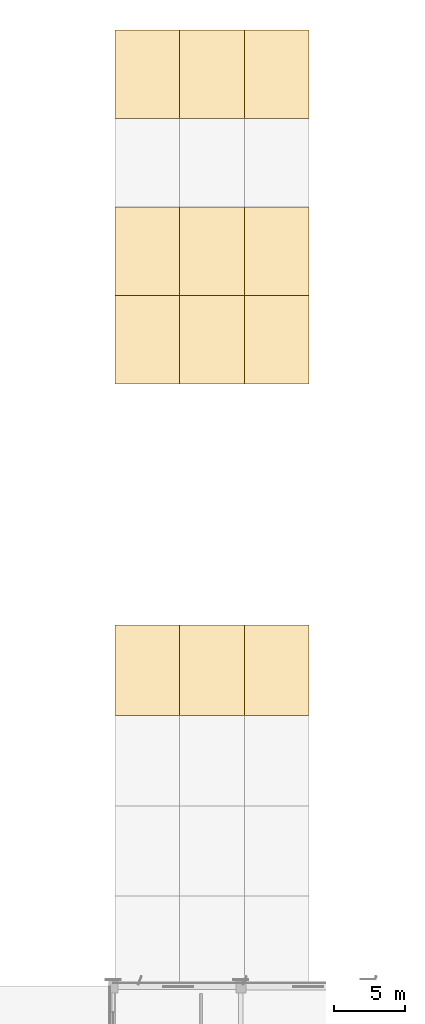
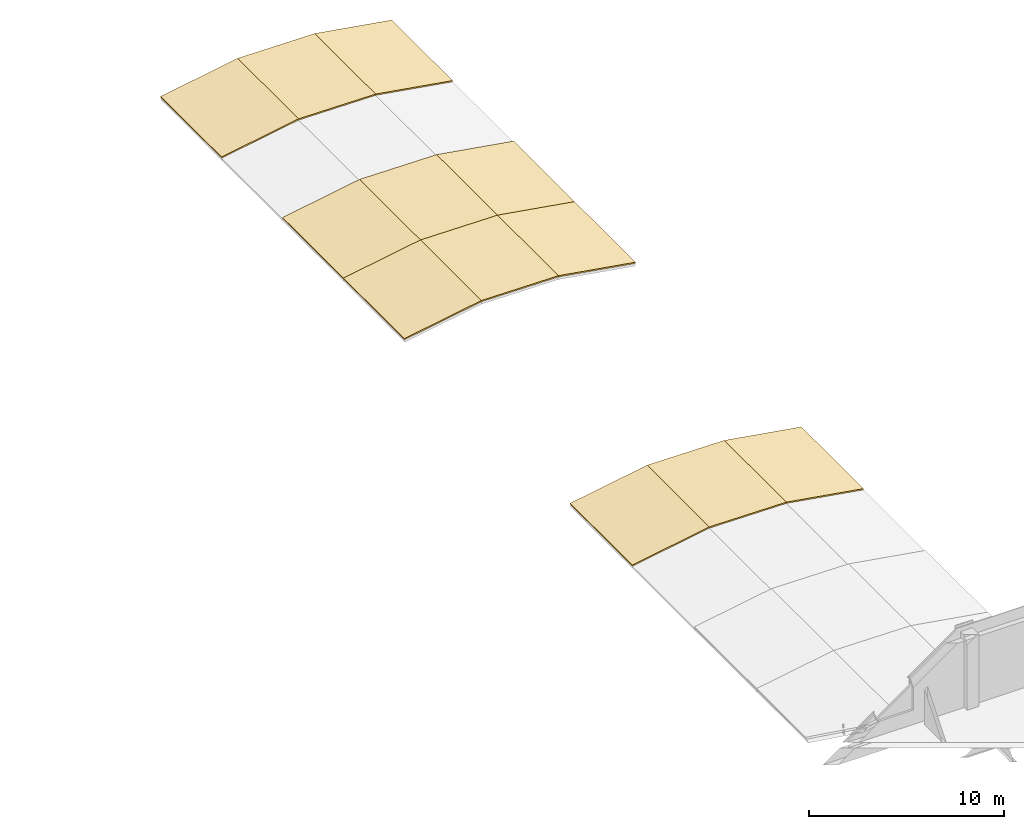
# One storey, part 86 of 86: 12 coverings.
"""IFC4 building model written with IfcOpenShell, lengths in metres."""

from ifc_helpers import new_model, si_unit, direction, frame, origin, place, context, subcontext, project, spatial, polyline, outline, extrude, material, layer, layer_set, type_object, element, save


model = new_model("IFC4")

# Units and contexts
model_context = context("Model", 3, precision=1e-05, world=origin(), true_north=direction((0.0, 1.0)))
body_context = subcontext(model_context, "Body", "Model", "MODEL_VIEW")
ifc_project = project(units=[si_unit("LENGTHUNIT", "METRE"), si_unit("AREAUNIT", "SQUARE_METRE"), si_unit("VOLUMEUNIT", "CUBIC_METRE"), si_unit("PLANEANGLEUNIT", "RADIAN"), si_unit("MASSUNIT", "GRAM", prefix="KILO")], contexts=[model_context])

# Site, building, storey
site_placement = place(None, origin())
site = spatial("IfcSite", under=ifc_project, at=site_placement, CompositionType="ELEMENT")
building_placement = place(site_placement, origin())
building = spatial("IfcBuilding", under=site, at=building_placement, Name="Solvikara Media Centre", CompositionType="ELEMENT")
storey_placement = place(building_placement, frame((0.0, 0.0, 15.0)))
storey = spatial("IfcBuildingStorey", under=building, at=storey_placement, Name="L03", CompositionType="ELEMENT", Elevation=15.0)

# Coverings
ifc_material = material(Name="Insulated standing-seam aluminium-zinc acoustic roofing", Category="aluminium")
ifc_layer = layer(ifc_material, 0.080078125)
ifc_layer_set = layer_set([ifc_layer], Name="Insulated standing-seam aluminium-zinc acoustic roofing")
covering_type = type_object("IfcCoveringType", Name="CV-03", PredefinedType="ROOFING", material=ifc_layer_set)
covering_1_placement = place(storey_placement, frame((136.625, 65.625, 0.216064453125), z_axis=(-0.170141736311, 0.0, 0.985419600762), x_axis=(0.985419600762, 0.0, 0.170141736311)))
element("IfcCovering", 1, at=covering_1_placement, inside=storey, type_object=covering_type, Name="CV-BSA-03-02", PredefinedType="ROOFING", context=body_context, shape_type="SweptSolid", body=[
    extrude(outline(polyline([(0.0, 0.0), (4.630502861647757, 0.0), (4.630502861647757, 6.375000000000002), (0.0, 6.375000000000002), (0.0, 0.0)])), origin(), (0.0, 0.0, -1.0), 0.080078125),
])
covering_2_placement = place(storey_placement, frame((141.18798828125, 65.625, 1.00390625), z_axis=(0.010060499073, 0.0, 0.999949391899), x_axis=(0.999949391899, 0.0, -0.010060499073)))
element("IfcCovering", 2, at=covering_2_placement, inside=storey, type_object=covering_type, Name="CV-BSA-03-03", PredefinedType="ROOFING", context=body_context, shape_type="SweptSolid", body=[
    extrude(outline(polyline([(0.0, 0.0), (4.562242605186322, 0.0), (4.562242605186322, 6.375), (0.0, 6.375), (0.0, 0.0)])), origin(), (0.0, 0.0, -1.0), 0.080078125),
])
covering_3_placement = place(storey_placement, frame((145.75, 65.625, 0.9580078125), z_axis=(0.16242916389, 0.0, 0.986720206907), x_axis=(0.986720206907, 0.0, -0.16242916389)))
element("IfcCovering", 3, at=covering_3_placement, inside=storey, type_object=covering_type, Name="CV-BSA-03-04", PredefinedType="ROOFING", context=body_context, shape_type="SweptSolid", body=[
    extrude(outline(polyline([(0.0, 0.0), (4.623409642183639, 0.0), (4.623409642183639, 6.375), (0.0, 6.375), (0.0, 0.0)])), origin(), (0.0, 0.0, -1.0), 0.080078125),
])
covering_4_placement = place(storey_placement, frame((136.625, 89.0, 0.216064453125), z_axis=(-0.170141736311, 0.0, 0.985419600762), x_axis=(0.985419600762, 0.0, 0.170141736311)))
element("IfcCovering", 4, at=covering_4_placement, inside=storey, type_object=covering_type, Name="CV-BSB-00-02", PredefinedType="ROOFING", context=body_context, shape_type="SweptSolid", body=[
    extrude(outline(polyline([(0.0, 0.0), (4.630502861647757, 0.0), (4.630502861647757, 6.250000000000002), (0.0, 6.250000000000002), (0.0, 0.0)])), origin(), (0.0, 0.0, -1.0), 0.080078125),
])
covering_5_placement = place(storey_placement, frame((141.18798828125, 89.0, 1.00390625), z_axis=(0.010060499073, 0.0, 0.999949391899), x_axis=(0.999949391899, 0.0, -0.010060499073)))
element("IfcCovering", 5, at=covering_5_placement, inside=storey, type_object=covering_type, Name="CV-BSB-00-03", PredefinedType="ROOFING", context=body_context, shape_type="SweptSolid", body=[
    extrude(outline(polyline([(0.0, 0.0), (4.562242605186322, 0.0), (4.562242605186322, 6.25), (0.0, 6.25), (0.0, 0.0)])), origin(), (0.0, 0.0, -1.0), 0.080078125),
])
covering_6_placement = place(storey_placement, frame((145.75, 89.0, 0.9580078125), z_axis=(0.16242916389, 0.0, 0.986720206907), x_axis=(0.986720206907, 0.0, -0.16242916389)))
element("IfcCovering", 6, at=covering_6_placement, inside=storey, type_object=covering_type, Name="CV-BSB-00-04", PredefinedType="ROOFING", context=body_context, shape_type="SweptSolid", body=[
    extrude(outline(polyline([(0.0, 0.0), (4.623409642183639, 0.0), (4.623409642183639, 6.25), (0.0, 6.25), (0.0, 0.0)])), origin(), (0.0, 0.0, -1.0), 0.080078125),
])
covering_7_placement = place(storey_placement, frame((136.625, 95.25, 0.216064453125), z_axis=(-0.170141736311, 0.0, 0.985419600762), x_axis=(0.985419600762, 0.0, 0.170141736311)))
element("IfcCovering", 7, at=covering_7_placement, inside=storey, type_object=covering_type, Name="CV-BSB-01-02", PredefinedType="ROOFING", context=body_context, shape_type="SweptSolid", body=[
    extrude(outline(polyline([(0.0, 0.0), (4.630502861647757, 0.0), (4.630502861647757, 6.250000000000002), (0.0, 6.250000000000002), (0.0, 0.0)])), origin(), (0.0, 0.0, -1.0), 0.080078125),
])
covering_8_placement = place(storey_placement, frame((141.18798828125, 95.25, 1.00390625), z_axis=(0.010060499073, 0.0, 0.999949391899), x_axis=(0.999949391899, 0.0, -0.010060499073)))
element("IfcCovering", 8, at=covering_8_placement, inside=storey, type_object=covering_type, Name="CV-BSB-01-03", PredefinedType="ROOFING", context=body_context, shape_type="SweptSolid", body=[
    extrude(outline(polyline([(0.0, 0.0), (4.562242605186322, 0.0), (4.562242605186322, 6.25), (0.0, 6.25), (0.0, 0.0)])), origin(), (0.0, 0.0, -1.0), 0.080078125),
])
covering_9_placement = place(storey_placement, frame((145.75, 95.25, 0.9580078125), z_axis=(0.16242916389, 0.0, 0.986720206907), x_axis=(0.986720206907, 0.0, -0.16242916389)))
element("IfcCovering", 9, at=covering_9_placement, inside=storey, type_object=covering_type, Name="CV-BSB-01-04", PredefinedType="ROOFING", context=body_context, shape_type="SweptSolid", body=[
    extrude(outline(polyline([(0.0, 0.0), (4.623409642183639, 0.0), (4.623409642183639, 6.25), (0.0, 6.25), (0.0, 0.0)])), origin(), (0.0, 0.0, -1.0), 0.080078125),
])
covering_10_placement = place(storey_placement, frame((136.625, 107.75, 0.216064453125), z_axis=(-0.170141736311, 0.0, 0.985419600762), x_axis=(0.985419600762, 0.0, 0.170141736311)))
element("IfcCovering", 10, at=covering_10_placement, inside=storey, type_object=covering_type, Name="CV-BSB-03-02", PredefinedType="ROOFING", context=body_context, shape_type="SweptSolid", body=[
    extrude(outline(polyline([(0.0, 0.0), (4.630502861647757, 0.0), (4.630502861647757, 6.250000000000002), (0.0, 6.250000000000002), (0.0, 0.0)])), origin(), (0.0, 0.0, -1.0), 0.080078125),
])
covering_11_placement = place(storey_placement, frame((141.18798828125, 107.75, 1.00390625), z_axis=(0.010060499073, 0.0, 0.999949391899), x_axis=(0.999949391899, 0.0, -0.010060499073)))
element("IfcCovering", 11, at=covering_11_placement, inside=storey, type_object=covering_type, Name="CV-BSB-03-03", PredefinedType="ROOFING", context=body_context, shape_type="SweptSolid", body=[
    extrude(outline(polyline([(0.0, 0.0), (4.562242605186322, 0.0), (4.562242605186322, 6.25), (0.0, 6.25), (0.0, 0.0)])), origin(), (0.0, 0.0, -1.0), 0.080078125),
])
covering_12_placement = place(storey_placement, frame((145.75, 107.75, 0.9580078125), z_axis=(0.16242916389, 0.0, 0.986720206907), x_axis=(0.986720206907, 0.0, -0.16242916389)))
element("IfcCovering", 12, at=covering_12_placement, inside=storey, type_object=covering_type, Name="CV-BSB-03-04", PredefinedType="ROOFING", context=body_context, shape_type="SweptSolid", body=[
    extrude(outline(polyline([(0.0, 0.0), (4.623409642183639, 0.0), (4.623409642183639, 6.25), (0.0, 6.25), (0.0, 0.0)])), origin(), (0.0, 0.0, -1.0), 0.080078125),
])

save(model, "model.ifc")
